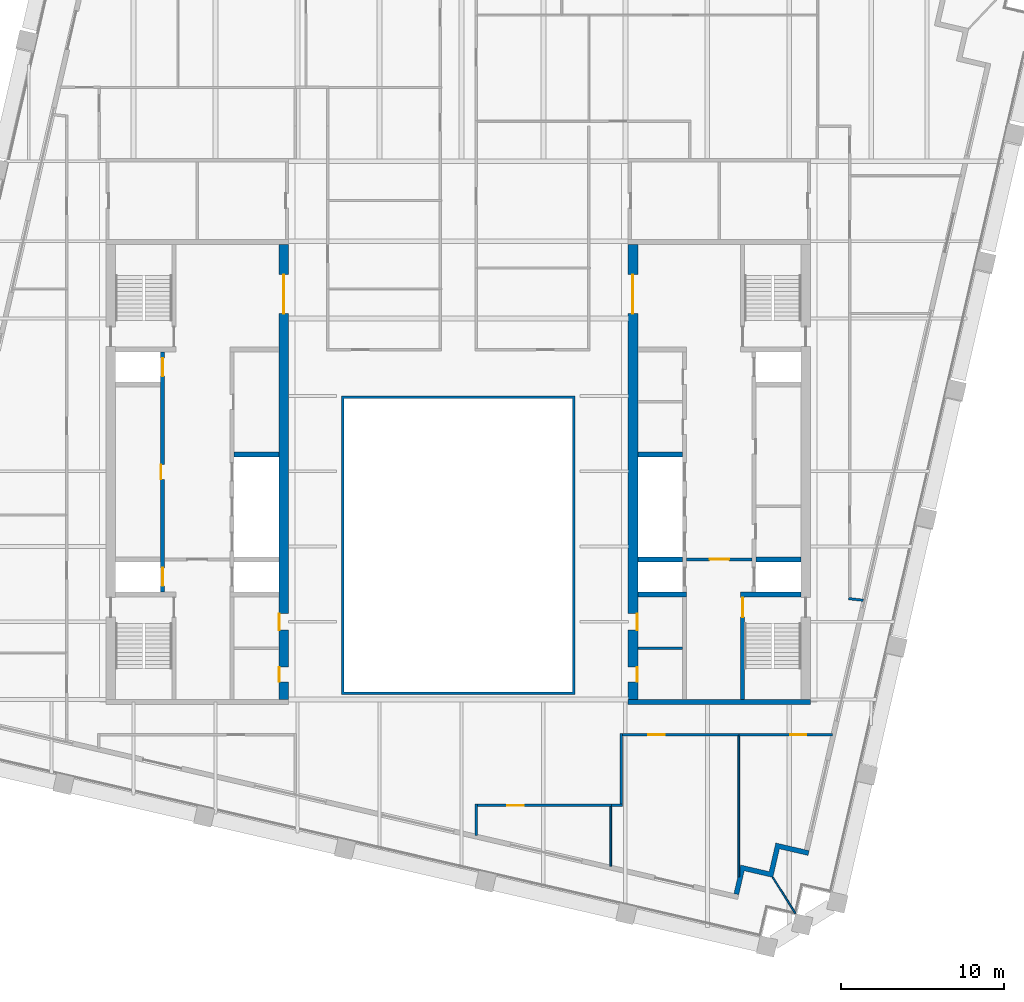
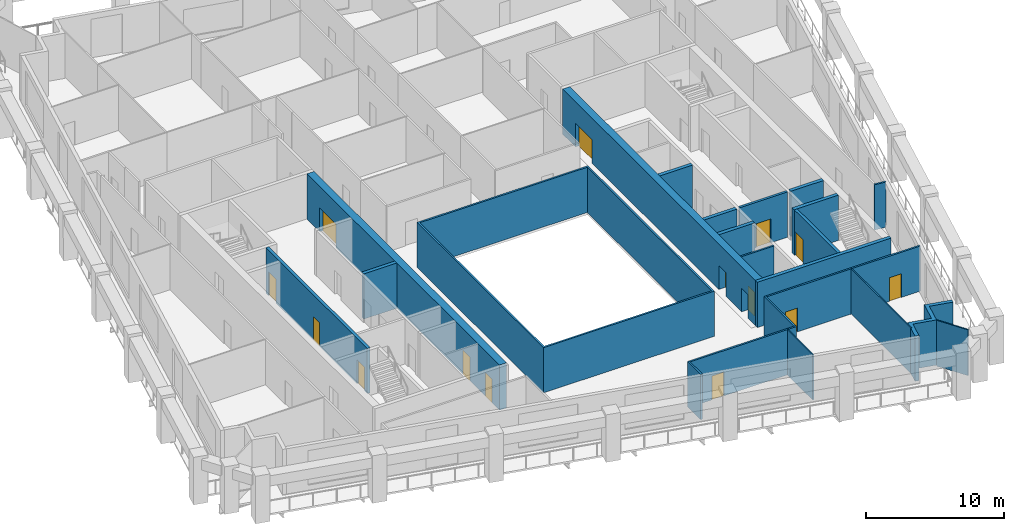
# One storey, part 5 of 10: 25 walls, 14 doors, 14 openings.
"""IFC4 building model written with IfcOpenShell, lengths in metres."""

from ifc_helpers import new_model, si_unit, direction, frame, frame_2d, origin, place, context, subcontext, project, spatial, polyline, rectangle, outline, extrude, material, layer, layer_set, type_object, element, fill, save


model = new_model("IFC4")

# Units and contexts
model_context = context("Model", 3, precision=1e-05, world=origin(), true_north=direction((0.0, 1.0)))
body_context = subcontext(model_context, "Body", "Model", "MODEL_VIEW")
ifc_project = project(units=[si_unit("LENGTHUNIT", "METRE"), si_unit("AREAUNIT", "SQUARE_METRE"), si_unit("VOLUMEUNIT", "CUBIC_METRE"), si_unit("PLANEANGLEUNIT", "RADIAN"), si_unit("MASSUNIT", "GRAM", prefix="KILO")], contexts=[model_context])

# Site, building, storey
site_placement = place(None, origin())
site = spatial("IfcSite", under=ifc_project, at=site_placement, CompositionType="ELEMENT")
building_placement = place(site_placement, origin())
building = spatial("IfcBuilding", under=site, at=building_placement, Name="Ogive Exchange Tower", CompositionType="ELEMENT")
storey_placement = place(building_placement, frame((0.0, 0.0, 255.60009765625)))
storey = spatial("IfcBuildingStorey", under=building, at=storey_placement, Name="L55", CompositionType="ELEMENT", Elevation=255.60009765625)

# Walls
ifc_material_1 = material(Name="Gypsum board partition")
ifc_layer_1 = layer(ifc_material_1, 0.14990234375)
ifc_layer_set_1 = layer_set([ifc_layer_1], Name="Core room partition 150 gypsum")
wall_type_1 = type_object("IfcWallType", Name="Core room partition 150 gypsum", PredefinedType="PARTITIONING", material=ifc_layer_set_1)
wall_1_placement = place(storey_placement, frame((11.0, 0.699951171875, 0.0), z_axis=(0.0, 0.0, 1.0), x_axis=(1.0, 0.0, 0.0)))
element("IfcWall", 1, at=wall_1_placement, inside=storey, type_object=wall_type_1, Name="E south room partition", PredefinedType="PARTITIONING", context=body_context, shape_type="SweptSolid", body=[
    extrude(rectangle(XDim=2.75, YDim=0.14990234375, at=frame_2d((1.375, 0.0))), origin(), (0.0, 0.0, 1.0), 4.0),
])
ifc_material_2 = material(Name="Fire partition EI 60 150")
ifc_layer_2 = layer(ifc_material_2, 0.14990234375)
ifc_layer_set_2 = layer_set([ifc_layer_2], Name="Fire partition EI 60 150")
wall_type_2 = type_object("IfcWallType", Name="Fire partition EI 60 150", PredefinedType="PARTITIONING", material=ifc_layer_set_2)
wall_2_placement = place(storey_placement, frame((1.10009765625, -8.864990234375, 0.0), z_axis=(0.0, 0.0, 1.0), x_axis=(0.0, -1.0, 0.0)))
element("IfcWall", 2, at=wall_2_placement, inside=storey, type_object=wall_type_2, Name="L55-PWL-045", PredefinedType="PARTITIONING", context=body_context, shape_type="SweptSolid", body=[
    extrude(rectangle(XDim=1.9130859375, YDim=0.14990234375, at=frame_2d((0.95654296875, 0.0))), origin(), (0.0, 0.0, 1.0), 4.0),
])

# Wall, opening, door
wall_3_placement = place(storey_placement, frame((9.389892578125, -8.93994140625, 0.0), z_axis=(0.0, 0.0, 1.0), x_axis=(-1.0, 0.0, 0.0)))
wall_3 = element("IfcWall", 3, at=wall_3_placement, inside=storey, type_object=wall_type_2, Name="L55-PWL-060", PredefinedType="PARTITIONING", context=body_context, shape_type="SweptSolid", body=[
    extrude(rectangle(XDim=8.21484375, YDim=0.14990234375, at=frame_2d((4.107421875, 0.0))), origin(), (0.0, 0.0, 1.0), 4.0),
])
opening_1_placement = place(wall_3_placement, frame((5.389892578125, 0.0, 0.0)))
opening_1 = element("IfcOpeningElement", 4, at=opening_1_placement, cuts=wall_3, Name="Opening L55-I25", PredefinedType="OPENING", context=body_context, shape_type="SweptSolid", body=[
    extrude(rectangle(XDim=1.0, YDim=2.10009765625, at=frame_2d((0.5, 1.050048828125))), frame((0.0, 0.0849609375, 0.0), z_axis=(0.0, -1.0, 0.0), x_axis=(1.0, 0.0, 0.0)), (0.0, 0.0, 1.0), 0.169921875),
])
ifc_material_3 = material(Name="Fire door FD 30S 1000 x 2100")
door_type_1 = type_object("IfcDoorType", Name="Fire door FD 30S 1000 x 2100", OperationType="NOTDEFINED", PredefinedType="DOOR", material=ifc_material_3)
door_1_placement = place(opening_1_placement, origin())
door_1 = element("IfcDoor", 5, at=door_1_placement, inside=storey, type_object=door_type_1, Name="L55-IDR-025", ObjectType="DT3", OperationType="SINGLE_SWING_LEFT", OverallHeight=2.10009765625, OverallWidth=1.0, PredefinedType="DOOR", context=body_context, shape_type="SweptSolid", body=[
    extrude(rectangle(XDim=1.0, YDim=2.10009765625, at=frame_2d((0.5, 1.050048828125))), frame((0.0, 0.02490234375, 0.0), z_axis=(0.0, -1.0, 0.0), x_axis=(1.0, 0.0, 0.0)), (0.0, 0.0, 1.0), 0.050048828125),
])
fill(opening_1, door_1)

# Walls
wall_4_placement = place(storey_placement, frame((10.074951171875, -8.93994140625, 0.0), z_axis=(0.0, 0.0, 1.0), x_axis=(-1.0, 0.0, 0.0)))
element("IfcWall", 6, at=wall_4_placement, inside=storey, type_object=wall_type_2, Name="L55-PWL-062", PredefinedType="PARTITIONING", context=body_context, shape_type="SweptSolid", body=[
    extrude(rectangle(XDim=0.68505859375, YDim=0.14990234375, at=frame_2d((0.342529296875, 0.0))), origin(), (0.0, 0.0, 1.0), 4.0),
])
wall_5_placement = place(storey_placement, frame((10.0, -4.52490234375, 0.0), z_axis=(0.0, 0.0, 1.0), x_axis=(0.0, -1.0, 0.0)))
element("IfcWall", 7, at=wall_5_placement, inside=storey, type_object=wall_type_2, Name="L55-PWL-063", PredefinedType="PARTITIONING", context=body_context, shape_type="SweptSolid", body=[
    extrude(rectangle(XDim=4.340087890625, YDim=0.14990234375, at=frame_2d((2.169921875, 0.0))), origin(), (0.0, 0.0, 1.0), 4.0),
])

# Wall, opening, door
wall_6_placement = place(storey_placement, frame((17.239990234375, -4.60009765625, 0.0), z_axis=(0.0, 0.0, 1.0), x_axis=(-1.0, 0.0, 0.0)))
wall_6 = element("IfcWall", 8, at=wall_6_placement, inside=storey, type_object=wall_type_2, Name="L55-PWL-065", PredefinedType="PARTITIONING", context=body_context, shape_type="SweptSolid", body=[
    extrude(rectangle(XDim=7.1650390625, YDim=0.14990234375, at=frame_2d((3.58251953125, 0.0))), origin(), (0.0, 0.0, 1.0), 4.0),
])
opening_2_placement = place(wall_6_placement, frame((4.590087890625, 0.0, 0.0)))
opening_2 = element("IfcOpeningElement", 9, at=opening_2_placement, cuts=wall_6, Name="Opening L55-I26", PredefinedType="OPENING", context=body_context, shape_type="SweptSolid", body=[
    extrude(rectangle(XDim=1.0, YDim=2.10009765625, at=frame_2d((0.5, 1.050048828125))), frame((0.0, 0.0849609375, 0.0), z_axis=(0.0, -1.0, 0.0), x_axis=(1.0, 0.0, 0.0)), (0.0, 0.0, 1.0), 0.169921875),
])
door_2_placement = place(opening_2_placement, origin())
door_2 = element("IfcDoor", 10, at=door_2_placement, inside=storey, type_object=door_type_1, Name="L55-IDR-026", ObjectType="DT3", OperationType="SINGLE_SWING_LEFT", OverallHeight=2.10009765625, OverallWidth=1.0, PredefinedType="DOOR", context=body_context, shape_type="SweptSolid", body=[
    extrude(rectangle(XDim=1.0, YDim=2.10009765625, at=frame_2d((0.5, 1.050048828125))), frame((0.0, 0.02490234375, 0.0), z_axis=(0.0, -1.0, 0.0), x_axis=(1.0, 0.0, 0.0)), (0.0, 0.0, 1.0), 0.050048828125),
])
fill(opening_2, door_2)

wall_7_placement = place(storey_placement, frame((22.922119140625, -4.60009765625, 0.0), z_axis=(0.0, 0.0, 1.0), x_axis=(-1.0, 0.0, 0.0)))
wall_7 = element("IfcWall", 11, at=wall_7_placement, inside=storey, type_object=wall_type_2, Name="L55-PWL-072", PredefinedType="PARTITIONING", context=body_context, shape_type="SweptSolid", body=[
    extrude(rectangle(XDim=5.732177734375, YDim=0.14990234375, at=frame_2d((2.8662109375, 0.0))), origin(), (0.0, 0.0, 1.0), 4.0),
])
opening_3_placement = place(wall_7_placement, frame((1.58203125, 0.0, 0.0)))
opening_3 = element("IfcOpeningElement", 12, at=opening_3_placement, cuts=wall_7, Name="Opening L55-I27", PredefinedType="OPENING", context=body_context, shape_type="SweptSolid", body=[
    extrude(rectangle(XDim=1.0, YDim=2.10009765625, at=frame_2d((0.5, 1.050048828125))), frame((0.0, 0.0849609375, 0.0), z_axis=(0.0, -1.0, 0.0), x_axis=(1.0, 0.0, 0.0)), (0.0, 0.0, 1.0), 0.169921875),
])
door_3_placement = place(opening_3_placement, origin())
door_3 = element("IfcDoor", 13, at=door_3_placement, inside=storey, type_object=door_type_1, Name="L55-IDR-027", ObjectType="DT3", OperationType="SINGLE_SWING_RIGHT", OverallHeight=2.10009765625, OverallWidth=1.0, PredefinedType="DOOR", context=body_context, shape_type="SweptSolid", body=[
    extrude(rectangle(XDim=1.0, YDim=2.10009765625, at=frame_2d((0.5, 1.050048828125))), frame((0.0, 0.02490234375, 0.0), z_axis=(0.0, -1.0, 0.0), x_axis=(1.0, 0.0, 0.0)), (0.0, 0.0, 1.0), 0.050048828125),
])
fill(opening_3, door_3)

# Walls
wall_8_placement = place(storey_placement, frame((23.925048828125, 3.739013671875, 0.0), z_axis=(0.0, 0.0, 1.0), x_axis=(0.993344839434, -0.115178253021, 0.0)))
element("IfcWall", 14, at=wall_8_placement, inside=storey, type_object=wall_type_2, Name="L55-PWL-073", PredefinedType="PARTITIONING", context=body_context, shape_type="SweptSolid", body=[
    extrude(rectangle(XDim=0.903076171875, YDim=0.14990234375, at=frame_2d((0.45166015625, 0.0))), origin(), (0.0, 0.0, 1.0), 4.0),
])
ifc_material_4 = material(Name="Fire-resisting glass in steel frame", Category="steel")
ifc_layer_3 = layer(ifc_material_4, 0.14990234375)
ifc_layer_set_3 = layer_set([ifc_layer_3], Name="Fire-rated glazed wall 150")
wall_type_3 = type_object("IfcWallType", Name="Fire-rated glazed wall 150", PredefinedType="STANDARD", material=ifc_layer_set_3)
wall_9_placement = place(storey_placement, origin())
element("IfcWall", 15, at=wall_9_placement, inside=storey, type_object=wall_type_3, Name="Nave enclosure wall", PredefinedType="STANDARD", context=body_context, shape_type="SweptSolid", body=[
    extrude(outline(polyline([(-7.14990234375, -2.14990234375), (7.14990234375, -2.14990234375), (7.14990234375, 16.14990234375), (-7.14990234375, 16.14990234375), (-7.14990234375, -2.14990234375)]), holes=[polyline([(-7.0, -2.0), (-7.0, 16.0), (7.0, 16.0), (7.0, -2.0), (-7.0, -2.0)])]), origin(), (0.0, 0.0, 1.0), 4.0),
])
ifc_material_5 = material(Name="Precast concrete C40/50", Category="concrete")
ifc_layer_4 = layer(ifc_material_5, 0.300048828125)
ifc_layer_set_4 = layer_set([ifc_layer_4], Name="Limestone-faced wall 300")
wall_type_4 = type_object("IfcWallType", Name="Limestone-faced wall 300", PredefinedType="STANDARD", material=ifc_layer_set_4)
wall_10_placement = place(storey_placement, origin())
element("IfcWall", 16, at=wall_10_placement, inside=storey, type_object=wall_type_4, Name="External corner wall C1", PredefinedType="STANDARD", context=body_context, shape_type="SweptSolid", body=[
    extrude(outline(polyline([(19.053955078125, -12.993408203125), (19.458740234375, -11.239501953125), (21.5048828125, -11.7119140625), (21.4375, -12.004150390625), (19.68359375, -11.599365234375), (19.27880859375, -13.353271484375), (17.52490234375, -12.9482421875), (17.1875, -14.409912109375), (16.89501953125, -14.34228515625), (17.300048828125, -12.58837890625), (19.053955078125, -12.993408203125)])), origin(), (0.0, 0.0, 1.0), 4.0),
])
ifc_material_6 = material(Name="Laminated safety glass in steel frame", Category="steel")
ifc_layer_5 = layer(ifc_material_6, 0.10009765625)
ifc_layer_set_5 = layer_set([ifc_layer_5], Name="Loggia end screen 100")
wall_type_5 = type_object("IfcWallType", Name="Loggia end screen 100", PredefinedType="STANDARD", material=ifc_layer_set_5)
wall_11_placement = place(storey_placement, frame((19.27880859375, -13.353271484375, -0.050048828125), z_axis=(0.0, 0.0, 1.0), x_axis=(0.529914407191, -0.848051131154, 0.0)))
element("IfcWall", 17, at=wall_11_placement, inside=storey, type_object=wall_type_5, Name="Loggia end screen C1", PredefinedType="STANDARD", context=body_context, shape_type="SweptSolid", body=[
    extrude(rectangle(XDim=2.59619140625, YDim=0.10009765625, at=frame_2d((1.298095703125, 0.0))), origin(), (0.0, 0.0, 1.0), 4.050048828125),
])
ifc_material_7 = material(Name="Partition 100 gypsum")
ifc_layer_6 = layer(ifc_material_7, 0.10009765625)
ifc_layer_set_6 = layer_set([ifc_layer_6], Name="Partition 100 gypsum")
wall_type_6 = type_object("IfcWallType", Name="Partition 100 gypsum", PredefinedType="PARTITIONING", material=ifc_layer_set_6)
wall_12_placement = place(storey_placement, frame((9.340087890625, -9.014892578125, 0.0), z_axis=(0.0, 0.0, 1.0), x_axis=(0.0, -1.0, 0.0)))
element("IfcWall", 18, at=wall_12_placement, inside=storey, type_object=wall_type_6, Name="L55-PWL-061", PredefinedType="PARTITIONING", context=body_context, shape_type="SweptSolid", body=[
    extrude(rectangle(XDim=3.666015625, YDim=0.10009765625, at=frame_2d((1.8330078125, 0.0))), origin(), (0.0, 0.0, 1.0), 4.0),
])
wall_13_placement = place(storey_placement, frame((17.18994140625, -4.675048828125, 0.0), z_axis=(0.0, 0.0, 1.0), x_axis=(0.0, -1.0, 0.0)))
element("IfcWall", 19, at=wall_13_placement, inside=storey, type_object=wall_type_6, Name="L55-PWL-066", PredefinedType="PARTITIONING", context=body_context, shape_type="SweptSolid", body=[
    extrude(rectangle(XDim=8.635009765625, YDim=0.10009765625, at=frame_2d((4.3173828125, 0.0))), origin(), (0.0, 0.0, 1.0), 4.0),
])

# Wall, opening, door
ifc_material_8 = material(Name="Concrete C70/85", Category="concrete")
ifc_layer_7 = layer(ifc_material_8, 0.199951171875)
ifc_layer_set_7 = layer_set([ifc_layer_7], Name="RC core wall 200 C70/85")
wall_type_7 = type_object("IfcWallType", Name="RC core wall 200 C70/85", PredefinedType="SHEAR", material=ifc_layer_set_7)
wall_14_placement = place(storey_placement, frame((14.0, 6.142822265625, 0.0), z_axis=(0.0, 0.0, 1.0), x_axis=(1.0, 0.0, 0.0)))
wall_14 = element("IfcWall", 20, at=wall_14_placement, inside=storey, type_object=wall_type_7, Name="E firefighting lobby wall", PredefinedType="SHEAR", context=body_context, shape_type="SweptSolid", body=[
    extrude(rectangle(XDim=4.0, YDim=0.199951171875, at=frame_2d((2.0, 0.0))), origin(), (0.0, 0.0, 1.0), 4.0),
])
opening_4_placement = place(wall_14_placement, frame((1.39990234375, 0.0, 0.0)))
opening_4 = element("IfcOpeningElement", 21, at=opening_4_placement, cuts=wall_14, Name="Opening L55-C29", PredefinedType="OPENING", context=body_context, shape_type="SweptSolid", body=[
    extrude(rectangle(XDim=1.199951171875, YDim=2.10009765625, at=frame_2d((0.60009765625, 1.050048828125))), frame((0.0, 0.10986328125, 0.0), z_axis=(0.0, -1.0, 0.0), x_axis=(1.0, 0.0, 0.0)), (0.0, 0.0, 1.0), 0.219970703125),
])
ifc_material_9 = material(Name="Steel fire door", Category="steel")
door_type_2 = type_object("IfcDoorType", Name="Firefighting lobby door FD60 1200 x 2100", OperationType="NOTDEFINED", PredefinedType="DOOR", material=ifc_material_9)
door_4_placement = place(opening_4_placement, frame((1.199951171875, 0.0, 0.0), z_axis=(0.0, 0.0, 1.0), x_axis=(-1.0, 0.0, 0.0)))
door_4 = element("IfcDoor", 22, at=door_4_placement, inside=storey, type_object=door_type_2, Name="Firefighting lobby door", ObjectType="CD3", OperationType="SINGLE_SWING_LEFT", OverallHeight=2.10009765625, OverallWidth=1.199951171875, PredefinedType="DOOR", context=body_context, shape_type="SweptSolid", body=[
    extrude(rectangle(XDim=1.199951171875, YDim=2.10009765625, at=frame_2d((0.60009765625, 1.050048828125))), frame((0.0, 0.02490234375, 0.0), z_axis=(0.0, -1.0, 0.0), x_axis=(1.0, 0.0, 0.0)), (0.0, 0.0, 1.0), 0.050048828125),
])
fill(opening_4, door_4)

# Wall, openings, doors
ifc_layer_8 = layer(ifc_material_8, 0.25)
ifc_layer_set_8 = layer_set([ifc_layer_8], Name="RC core wall 250 C70/85")
wall_type_8 = type_object("IfcWallType", Name="RC core wall 250 C70/85", PredefinedType="SHEAR", material=ifc_layer_set_8)
wall_15_placement = place(storey_placement, frame((-18.125, 4.14990234375, 0.0), z_axis=(0.0, 0.0, 1.0), x_axis=(0.0, 1.0, 0.0)))
wall_15 = element("IfcWall", 23, at=wall_15_placement, inside=storey, type_object=wall_type_8, Name="W row A front wall", PredefinedType="SHEAR", context=body_context, shape_type="SweptSolid", body=[
    extrude(rectangle(XDim=14.7001953125, YDim=0.25, at=frame_2d((7.35009765625, 0.0))), origin(), (0.0, 0.0, 1.0), 4.0),
])
opening_5_placement = place(wall_15_placement, frame((6.89990234375, 0.0, 0.0)))
opening_5 = element("IfcOpeningElement", 24, at=opening_5_placement, cuts=wall_15, Name="Opening L55-C01", PredefinedType="OPENING", context=body_context, shape_type="SweptSolid", body=[
    extrude(rectangle(XDim=0.89990234375, YDim=2.10009765625, at=frame_2d((0.449951171875, 1.050048828125))), frame((0.0, 0.135009765625, 0.0), z_axis=(0.0, -1.0, 0.0), x_axis=(1.0, 0.0, 0.0)), (0.0, 0.0, 1.0), 0.27001953125),
])
opening_6_placement = place(wall_15_placement, frame((0.371337890625, 0.0, 0.0)))
opening_6 = element("IfcOpeningElement", 25, at=opening_6_placement, cuts=wall_15, Name="Opening L55-C02", PredefinedType="OPENING", context=body_context, shape_type="SweptSolid", body=[
    extrude(rectangle(XDim=1.10009765625, YDim=2.10009765625, at=frame_2d((0.550048828125, 1.050048828125))), frame((0.0, 0.135009765625, 0.0), z_axis=(0.0, -1.0, 0.0), x_axis=(1.0, 0.0, 0.0)), (0.0, 0.0, 1.0), 0.27001953125),
])
opening_7_placement = place(wall_15_placement, frame((13.228515625, 0.0, 0.0)))
opening_7 = element("IfcOpeningElement", 26, at=opening_7_placement, cuts=wall_15, Name="Opening L55-C03", PredefinedType="OPENING", context=body_context, shape_type="SweptSolid", body=[
    extrude(rectangle(XDim=1.10009765625, YDim=2.10009765625, at=frame_2d((0.550048828125, 1.050048828125))), frame((0.0, 0.135009765625, 0.0), z_axis=(0.0, -1.0, 0.0), x_axis=(1.0, 0.0, 0.0)), (0.0, 0.0, 1.0), 0.27001953125),
])
ifc_material_10 = material(Name="Timber fire door", Category="wood")
door_type_3 = type_object("IfcDoorType", Name="Core room door FD30S 900 x 2100", OperationType="NOTDEFINED", PredefinedType="DOOR", material=ifc_material_10)
door_5_placement = place(opening_5_placement, origin())
door_5 = element("IfcDoor", 27, at=door_5_placement, inside=storey, type_object=door_type_3, Name="Core room door", ObjectType="CD6", OperationType="SINGLE_SWING_RIGHT", OverallHeight=2.10009765625, OverallWidth=0.89990234375, PredefinedType="DOOR", context=body_context, shape_type="SweptSolid", body=[
    extrude(rectangle(XDim=0.89990234375, YDim=2.10009765625, at=frame_2d((0.449951171875, 1.050048828125))), frame((0.0, 0.125, 0.0), z_axis=(0.0, -1.0, 0.0), x_axis=(1.0, 0.0, 0.0)), (0.0, 0.0, 1.0), 0.050048828125),
])
fill(opening_5, door_5)
ifc_material_11 = material(Name="Stainless steel", Category="steel")
door_type_4 = type_object("IfcDoorType", Name="Lift landing door FD90 1100 x 2100", OperationType="SLIDING_TO_LEFT", PredefinedType="DOOR", material=ifc_material_11)
door_6_placement = place(opening_6_placement, origin())
door_6 = element("IfcDoor", 28, at=door_6_placement, inside=storey, type_object=door_type_4, Name="Lift landing door FF1", ObjectType="LD", OperationType="SLIDING_TO_LEFT", OverallHeight=2.10009765625, OverallWidth=1.10009765625, PredefinedType="DOOR", context=body_context, shape_type="SweptSolid", body=[
    extrude(rectangle(XDim=1.10009765625, YDim=2.10009765625, at=frame_2d((0.550048828125, 1.050048828125))), frame((0.0, 0.02490234375, 0.0), z_axis=(0.0, -1.0, 0.0), x_axis=(1.0, 0.0, 0.0)), (0.0, 0.0, 1.0), 0.050048828125),
])
fill(opening_6, door_6)
door_7_placement = place(opening_7_placement, origin())
door_7 = element("IfcDoor", 29, at=door_7_placement, inside=storey, type_object=door_type_4, Name="Lift landing door W-SH2", ObjectType="LD", OperationType="SLIDING_TO_LEFT", OverallHeight=2.10009765625, OverallWidth=1.10009765625, PredefinedType="DOOR", context=body_context, shape_type="SweptSolid", body=[
    extrude(rectangle(XDim=1.10009765625, YDim=2.10009765625, at=frame_2d((0.550048828125, 1.050048828125))), frame((0.0, 0.02490234375, 0.0), z_axis=(0.0, -1.0, 0.0), x_axis=(1.0, 0.0, 0.0)), (0.0, 0.0, 1.0), 0.050048828125),
])
fill(opening_7, door_7)

# Wall, opening, door
wall_16_placement = place(storey_placement, frame((17.425048828125, -2.449951171875, 0.0), z_axis=(0.0, 0.0, 1.0), x_axis=(0.0, 1.0, 0.0)))
wall_16 = element("IfcWall", 30, at=wall_16_placement, inside=storey, type_object=wall_type_8, Name="E stair S front wall", PredefinedType="SHEAR", context=body_context, shape_type="SweptSolid", body=[
    extrude(rectangle(XDim=6.300048828125, YDim=0.25, at=frame_2d((3.14990234375, 0.0))), origin(), (0.0, 0.0, 1.0), 4.0),
])
opening_8_placement = place(wall_16_placement, frame((5.050048828125, 0.0, 0.0)))
opening_8 = element("IfcOpeningElement", 31, at=opening_8_placement, cuts=wall_16, Name="Opening L55-C31", PredefinedType="OPENING", context=body_context, shape_type="SweptSolid", body=[
    extrude(rectangle(XDim=1.199951171875, YDim=2.10009765625, at=frame_2d((0.60009765625, 1.050048828125))), frame((0.0, 0.135009765625, 0.0), z_axis=(0.0, -1.0, 0.0), x_axis=(1.0, 0.0, 0.0)), (0.0, 0.0, 1.0), 0.27001953125),
])
door_type_5 = type_object("IfcDoorType", Name="Stair door FD90 1200 x 2100", OperationType="NOTDEFINED", PredefinedType="DOOR", material=ifc_material_9)
door_8_placement = place(opening_8_placement, frame((1.199951171875, 0.0, 0.0), z_axis=(0.0, 0.0, 1.0), x_axis=(-1.0, 0.0, 0.0)))
door_8 = element("IfcDoor", 32, at=door_8_placement, inside=storey, type_object=door_type_5, Name="Stair door", ObjectType="CD5", OperationType="SINGLE_SWING_RIGHT", OverallHeight=2.10009765625, OverallWidth=1.199951171875, PredefinedType="DOOR", context=body_context, shape_type="SweptSolid", body=[
    extrude(rectangle(XDim=1.199951171875, YDim=2.10009765625, at=frame_2d((0.60009765625, 1.050048828125))), frame((0.0, 0.02490234375, 0.0), z_axis=(0.0, -1.0, 0.0), x_axis=(1.0, 0.0, 0.0)), (0.0, 0.0, 1.0), 0.050048828125),
])
fill(opening_8, door_8)

# Walls
ifc_layer_9 = layer(ifc_material_8, 0.300048828125)
ifc_layer_set_9 = layer_set([ifc_layer_9], Name="RC core wall 300 C70/85")
wall_type_9 = type_object("IfcWallType", Name="RC core wall 300 C70/85", PredefinedType="SHEAR", material=ifc_layer_set_9)
wall_17_placement = place(storey_placement, frame((-13.75, 12.5712890625, 0.0), z_axis=(0.0, 0.0, 1.0), x_axis=(1.0, 0.0, 0.0)))
element("IfcWall", 33, at=wall_17_placement, inside=storey, type_object=wall_type_9, Name="W row B divider 4", PredefinedType="SHEAR", context=body_context, shape_type="SweptSolid", body=[
    extrude(rectangle(XDim=2.75, YDim=0.300048828125, at=frame_2d((1.375, 0.0))), origin(), (0.0, 0.0, 1.0), 4.0),
])
wall_18_placement = place(storey_placement, frame((10.39990234375, -2.60009765625, 0.0), z_axis=(0.0, 0.0, 1.0), x_axis=(1.0, 0.0, 0.0)))
element("IfcWall", 34, at=wall_18_placement, inside=storey, type_object=wall_type_9, Name="E south end wall", PredefinedType="SHEAR", context=body_context, shape_type="SweptSolid", body=[
    extrude(rectangle(XDim=11.2001953125, YDim=0.300048828125, at=frame_2d((5.60009765625, 0.0))), origin(), (0.0, 0.0, 1.0), 4.0),
])
wall_19_placement = place(storey_placement, frame((17.300048828125, 4.0, 0.0), z_axis=(0.0, 0.0, 1.0), x_axis=(1.0, 0.0, 0.0)))
element("IfcWall", 35, at=wall_19_placement, inside=storey, type_object=wall_type_9, Name="E stair S north wall", PredefinedType="SHEAR", context=body_context, shape_type="SweptSolid", body=[
    extrude(rectangle(XDim=3.699951171875, YDim=0.300048828125, at=frame_2d((1.85009765625, 0.0))), origin(), (0.0, 0.0, 1.0), 4.0),
])
wall_20_placement = place(storey_placement, frame((18.25, 6.142822265625, 0.0), z_axis=(0.0, 0.0, 1.0), x_axis=(1.0, 0.0, 0.0)))
element("IfcWall", 36, at=wall_20_placement, inside=storey, type_object=wall_type_9, Name="E row A divider 1", PredefinedType="SHEAR", context=body_context, shape_type="SweptSolid", body=[
    extrude(rectangle(XDim=2.75, YDim=0.300048828125, at=frame_2d((1.375, 0.0))), origin(), (0.0, 0.0, 1.0), 4.0),
])
wall_21_placement = place(storey_placement, frame((11.0, 4.0, 0.0), z_axis=(0.0, 0.0, 1.0), x_axis=(1.0, 0.0, 0.0)))
element("IfcWall", 37, at=wall_21_placement, inside=storey, type_object=wall_type_9, Name="E row B divider 0", PredefinedType="SHEAR", context=body_context, shape_type="SweptSolid", body=[
    extrude(rectangle(XDim=3.0, YDim=0.300048828125, at=frame_2d((1.5, 0.0))), origin(), (0.0, 0.0, 1.0), 4.0),
])
for number, where, z_axis, x_axis, name in (
    (38, (11.0, 6.142822265625, 0.0), (0.0, 0.0, 1.0), (1.0, 0.0, 0.0), "E row B divider 1"),
    (39, (11.0, 12.5712890625, 0.0), (0.0, 0.0, 1.0), (1.0, 0.0, 0.0), "E row B divider 4"),
):
    element("IfcWall", number, at=place(storey_placement, frame(where, z_axis=z_axis, x_axis=x_axis)), inside=storey, type_object=wall_type_9, Name=name, PredefinedType="SHEAR", context=body_context, shape_type="SweptSolid", body=[
        extrude(rectangle(XDim=2.75, YDim=0.300048828125, at=frame_2d((1.375, 0.0))), origin(), (0.0, 0.0, 1.0), 4.0),
    ])

# Wall, openings, doors
ifc_layer_10 = layer(ifc_material_8, 0.60009765625)
ifc_layer_set_10 = layer_set([ifc_layer_10], Name="RC core wall 600 C70/85")
wall_type_10 = type_object("IfcWallType", Name="RC core wall 600 C70/85", PredefinedType="SHEAR", material=ifc_layer_set_10)
wall_22_placement = place(storey_placement, frame((-10.699951171875, -2.449951171875, 0.0), z_axis=(0.0, 0.0, 1.0), x_axis=(0.0, 1.0, 0.0)))
wall_22 = element("IfcWall", 40, at=wall_22_placement, inside=storey, type_object=wall_type_10, Name="W inner wall", PredefinedType="SHEAR", context=body_context, shape_type="SweptSolid", body=[
    extrude(rectangle(XDim=27.89990234375, YDim=0.60009765625, at=frame_2d((13.949951171875, 0.0))), origin(), (0.0, 0.0, 1.0), 4.0),
])
opening_9_placement = place(wall_22_placement, frame((23.64990234375, 0.0, 0.0)))
opening_9 = element("IfcOpeningElement", 41, at=opening_9_placement, cuts=wall_22, Name="Opening L55-C10", PredefinedType="OPENING", context=body_context, shape_type="SweptSolid", body=[
    extrude(rectangle(XDim=2.39990234375, YDim=2.10009765625, at=frame_2d((1.199951171875, 1.050048828125))), frame((0.0, 0.31005859375, 0.0), z_axis=(0.0, -1.0, 0.0), x_axis=(1.0, 0.0, 0.0)), (0.0, 0.0, 1.0), 0.6201171875),
])
opening_10_placement = place(wall_22_placement, frame((1.08740234375, 0.0, 0.0)))
opening_10 = element("IfcOpeningElement", 42, at=opening_10_placement, cuts=wall_22, Name="Opening L55-C15", PredefinedType="OPENING", context=body_context, shape_type="SweptSolid", body=[
    extrude(rectangle(XDim=0.89990234375, YDim=2.10009765625, at=frame_2d((0.449951171875, 1.050048828125))), frame((0.0, 0.31005859375, 0.0), z_axis=(0.0, -1.0, 0.0), x_axis=(1.0, 0.0, 0.0)), (0.0, 0.0, 1.0), 0.6201171875),
])
opening_11_placement = place(wall_22_placement, frame((4.262451171875, 0.0, 0.0)))
opening_11 = element("IfcOpeningElement", 43, at=opening_11_placement, cuts=wall_22, Name="Opening L55-C16", PredefinedType="OPENING", context=body_context, shape_type="SweptSolid", body=[
    extrude(rectangle(XDim=1.0, YDim=2.10009765625, at=frame_2d((0.5, 1.050048828125))), frame((0.0, 0.31005859375, 0.0), z_axis=(0.0, -1.0, 0.0), x_axis=(1.0, 0.0, 0.0)), (0.0, 0.0, 1.0), 0.6201171875),
])
door_type_6 = type_object("IfcDoorType", Name="Accessible WC door FD30S 1000 x 2100", OperationType="NOTDEFINED", PredefinedType="DOOR", material=ifc_material_10)
door_9_placement = place(opening_11_placement, frame((1.0, 0.5498046875, 0.0), z_axis=(0.0, 0.0, 1.0), x_axis=(-1.0, 0.0, 0.0)))
door_9 = element("IfcDoor", 44, at=door_9_placement, inside=storey, type_object=door_type_6, Name="Accessible WC door", ObjectType="CD7", OperationType="SINGLE_SWING_LEFT", OverallHeight=2.10009765625, OverallWidth=1.0, PredefinedType="DOOR", context=body_context, shape_type="SweptSolid", body=[
    extrude(rectangle(XDim=1.0, YDim=2.10009765625, at=frame_2d((0.5, 1.050048828125))), frame((0.0, 0.2998046875, 0.0), z_axis=(0.0, -1.0, 0.0), x_axis=(1.0, 0.0, 0.0)), (0.0, 0.0, 1.0), 0.050048828125),
])
fill(opening_11, door_9)
door_10_placement = place(opening_10_placement, frame((0.89990234375, 0.5498046875, 0.0), z_axis=(0.0, 0.0, 1.0), x_axis=(-1.0, 0.0, 0.0)))
door_10 = element("IfcDoor", 45, at=door_10_placement, inside=storey, type_object=door_type_3, Name="Core room door", ObjectType="CD6", OperationType="SINGLE_SWING_LEFT", OverallHeight=2.10009765625, OverallWidth=0.89990234375, PredefinedType="DOOR", context=body_context, shape_type="SweptSolid", body=[
    extrude(rectangle(XDim=0.89990234375, YDim=2.10009765625, at=frame_2d((0.449951171875, 1.050048828125))), frame((0.0, 0.2998046875, 0.0), z_axis=(0.0, -1.0, 0.0), x_axis=(1.0, 0.0, 0.0)), (0.0, 0.0, 1.0), 0.050048828125),
])
fill(opening_10, door_10)
ifc_material_12 = material(Name="Glazed steel fire door", Category="steel")
door_type_7 = type_object("IfcDoorType", Name="Lift lobby double door FD60 2400 x 2100", OperationType="DOUBLE_DOOR_SINGLE_SWING", PredefinedType="DOOR", material=ifc_material_12)
door_11_placement = place(opening_9_placement, frame((2.39990234375, 0.0, 0.0), z_axis=(0.0, 0.0, 1.0), x_axis=(-1.0, 0.0, 0.0)))
door_11 = element("IfcDoor", 46, at=door_11_placement, inside=storey, type_object=door_type_7, Name="Lift lobby double door", ObjectType="CD4", OperationType="DOUBLE_DOOR_SINGLE_SWING", OverallHeight=2.10009765625, OverallWidth=2.39990234375, PredefinedType="DOOR", context=body_context, shape_type="SweptSolid", body=[
    extrude(rectangle(XDim=2.39990234375, YDim=2.10009765625, at=frame_2d((1.199951171875, 1.050048828125))), frame((0.0, 0.02490234375, 0.0), z_axis=(0.0, -1.0, 0.0), x_axis=(1.0, 0.0, 0.0)), (0.0, 0.0, 1.0), 0.050048828125),
])
fill(opening_9, door_11)

wall_23_placement = place(storey_placement, frame((10.699951171875, -2.449951171875, 0.0), z_axis=(0.0, 0.0, 1.0), x_axis=(0.0, 1.0, 0.0)))
wall_23 = element("IfcWall", 47, at=wall_23_placement, inside=storey, type_object=wall_type_10, Name="E inner wall", PredefinedType="SHEAR", context=body_context, shape_type="SweptSolid", body=[
    extrude(rectangle(XDim=27.89990234375, YDim=0.60009765625, at=frame_2d((13.949951171875, 0.0))), origin(), (0.0, 0.0, 1.0), 4.0),
])
opening_12_placement = place(wall_23_placement, frame((23.64990234375, 0.0, 0.0)))
opening_12 = element("IfcOpeningElement", 48, at=opening_12_placement, cuts=wall_23, Name="Opening L55-C30", PredefinedType="OPENING", context=body_context, shape_type="SweptSolid", body=[
    extrude(rectangle(XDim=2.39990234375, YDim=2.10009765625, at=frame_2d((1.199951171875, 1.050048828125))), frame((0.0, 0.31005859375, 0.0), z_axis=(0.0, -1.0, 0.0), x_axis=(1.0, 0.0, 0.0)), (0.0, 0.0, 1.0), 0.6201171875),
])
opening_13_placement = place(wall_23_placement, frame((1.08740234375, 0.0, 0.0)))
opening_13 = element("IfcOpeningElement", 49, at=opening_13_placement, cuts=wall_23, Name="Opening L55-C35", PredefinedType="OPENING", context=body_context, shape_type="SweptSolid", body=[
    extrude(rectangle(XDim=0.89990234375, YDim=2.10009765625, at=frame_2d((0.449951171875, 1.050048828125))), frame((0.0, 0.31005859375, 0.0), z_axis=(0.0, -1.0, 0.0), x_axis=(1.0, 0.0, 0.0)), (0.0, 0.0, 1.0), 0.6201171875),
])
opening_14_placement = place(wall_23_placement, frame((4.262451171875, 0.0, 0.0)))
opening_14 = element("IfcOpeningElement", 50, at=opening_14_placement, cuts=wall_23, Name="Opening L55-C36", PredefinedType="OPENING", context=body_context, shape_type="SweptSolid", body=[
    extrude(rectangle(XDim=1.0, YDim=2.10009765625, at=frame_2d((0.5, 1.050048828125))), frame((0.0, 0.31005859375, 0.0), z_axis=(0.0, -1.0, 0.0), x_axis=(1.0, 0.0, 0.0)), (0.0, 0.0, 1.0), 0.6201171875),
])
door_12_placement = place(opening_14_placement, origin())
door_12 = element("IfcDoor", 51, at=door_12_placement, inside=storey, type_object=door_type_6, Name="Accessible WC door", ObjectType="CD7", OperationType="SINGLE_SWING_RIGHT", OverallHeight=2.10009765625, OverallWidth=1.0, PredefinedType="DOOR", context=body_context, shape_type="SweptSolid", body=[
    extrude(rectangle(XDim=1.0, YDim=2.10009765625, at=frame_2d((0.5, 1.050048828125))), frame((0.0, -0.25, 0.0), z_axis=(0.0, -1.0, 0.0), x_axis=(1.0, 0.0, 0.0)), (0.0, 0.0, 1.0), 0.050048828125),
])
fill(opening_14, door_12)
door_13_placement = place(opening_13_placement, origin())
door_13 = element("IfcDoor", 52, at=door_13_placement, inside=storey, type_object=door_type_3, Name="Core room door", ObjectType="CD6", OperationType="SINGLE_SWING_RIGHT", OverallHeight=2.10009765625, OverallWidth=0.89990234375, PredefinedType="DOOR", context=body_context, shape_type="SweptSolid", body=[
    extrude(rectangle(XDim=0.89990234375, YDim=2.10009765625, at=frame_2d((0.449951171875, 1.050048828125))), frame((0.0, -0.25, 0.0), z_axis=(0.0, -1.0, 0.0), x_axis=(1.0, 0.0, 0.0)), (0.0, 0.0, 1.0), 0.050048828125),
])
fill(opening_13, door_13)
door_14_placement = place(opening_12_placement, origin())
door_14 = element("IfcDoor", 53, at=door_14_placement, inside=storey, type_object=door_type_7, Name="Lift lobby double door", ObjectType="CD4", OperationType="DOUBLE_DOOR_SINGLE_SWING", OverallHeight=2.10009765625, OverallWidth=2.39990234375, PredefinedType="DOOR", context=body_context, shape_type="SweptSolid", body=[
    extrude(rectangle(XDim=2.39990234375, YDim=2.10009765625, at=frame_2d((1.199951171875, 1.050048828125))), frame((0.0, 0.02490234375, 0.0), z_axis=(0.0, -1.0, 0.0), x_axis=(1.0, 0.0, 0.0)), (0.0, 0.0, 1.0), 0.050048828125),
])
fill(opening_12, door_14)

save(model, "model.ifc")
